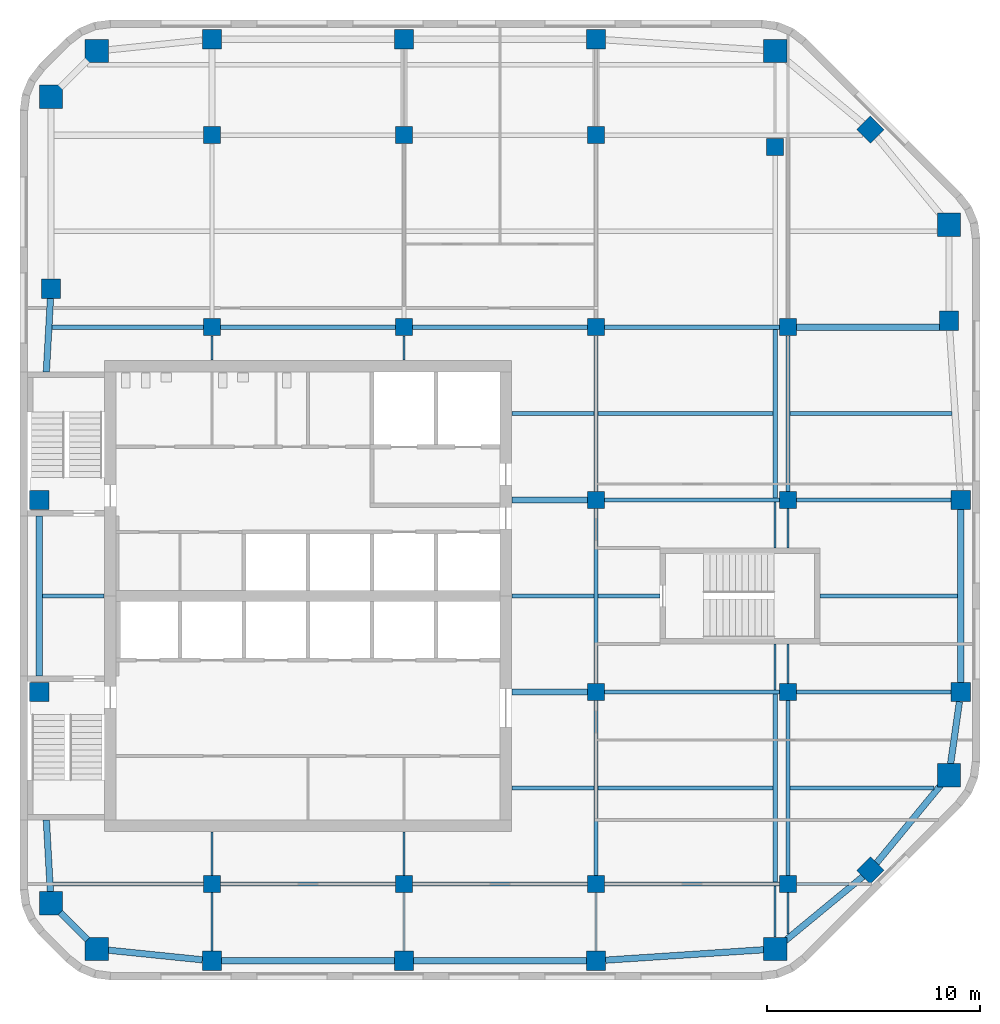
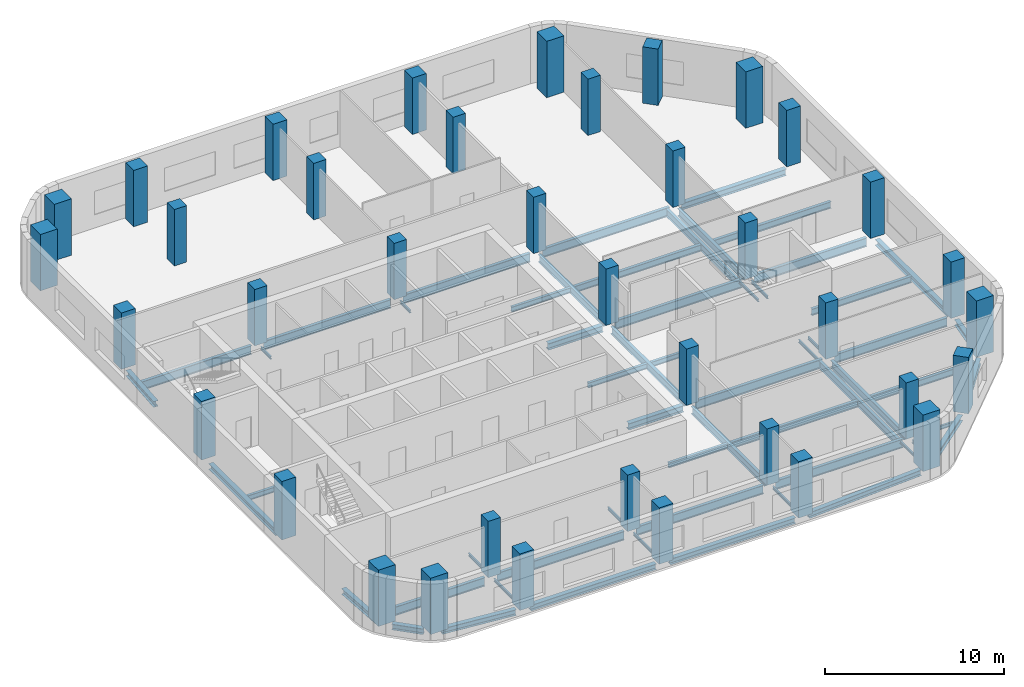
# One storey, part 1 of 8: 58 beams, 38 columns.
"""IFC4 building model written with IfcOpenShell, lengths in metres."""

import ifcopenshell
import ifcopenshell.guid

model = None  # the IFC model being written
_history = None  # IfcOwnerHistory: only IFC2X3 demands one
_inside = {}  # id of a spatial element -> (the spatial element, [elements in it])
_under = {}  # id of a project, library or spatial element -> (it, [spatial elements below it])
_declared = {}  # id of a project -> (the project, [libraries it declares])
_typed = {}  # id of a type object -> (the type object, [elements of that type])
_made_of = {}  # id of a material, layer set ... -> (it, [elements and type objects made of it])


def new_model(schema):
    """Start an empty IFC model of exactly this schema.

    Asked for "IFC4X3", IfcOpenShell would pick the latest addendum, in which some entities
    have other attributes; the version numbers below select the first issue.
    IFC2X3 requires an IfcOwnerHistory on every rooted entity: one is made here for all.
    """
    global model, _history
    if schema == "IFC4X3":
        model = ifcopenshell.file(schema_version=(4, 3, 0, 0))
    else:
        model = ifcopenshell.file(schema=schema)
    _inside.clear()
    _under.clear()
    _declared.clear()
    _typed.clear()
    _made_of.clear()
    _history = None
    if model.schema == "IFC2X3":
        org = make("IfcOrganization", Name="unknown")
        user = make(
            "IfcPersonAndOrganization",
            ThePerson=make("IfcPerson", FamilyName="unknown"),
            TheOrganization=org,
        )
        app = make(
            "IfcApplication",
            ApplicationDeveloper=org,
            Version="unknown",
            ApplicationFullName="unknown",
            ApplicationIdentifier="unknown",
        )
        _history = make(
            "IfcOwnerHistory",
            OwningUser=user,
            OwningApplication=app,
            ChangeAction="ADDED",
            CreationDate=0,
        )
    return model


def make(cls, **values):
    """One entity of the class cls with the attributes given. An attribute that is None is left unset."""
    return model.create_entity(
        cls, **{name: value for name, value in values.items() if value is not None}
    )


def rooted(cls, **values):
    """An entity with a GlobalId (a new one), such as an element, a storey or a relation."""
    return make(cls, GlobalId=ifcopenshell.guid.new(), OwnerHistory=_history, **values)


def si_unit(unit_type, name, prefix=None):
    """IfcSIUnit, for example si_unit("LENGTHUNIT", "METRE", prefix="MILLI")."""
    return make("IfcSIUnit", UnitType=unit_type, Prefix=prefix, Name=name)


def assignment(units):
    """IfcUnitAssignment: the units of a project."""
    return None if units is None else make("IfcUnitAssignment", Units=units)


def point(xyz):
    """IfcCartesianPoint."""
    return None if xyz is None else make("IfcCartesianPoint", Coordinates=xyz)


def direction(xyz):
    """IfcDirection."""
    return None if xyz is None else make("IfcDirection", DirectionRatios=xyz)


def frame(location, z_axis=None, x_axis=None):
    """IfcAxis2Placement3D, a coordinate frame: its origin and axes. An axis left out is left unset."""
    return make(
        "IfcAxis2Placement3D",
        Location=point(location),
        Axis=direction(z_axis),
        RefDirection=direction(x_axis),
    )


def frame_2d(location, x_axis=None):
    """IfcAxis2Placement2D, a coordinate frame in the plane: its origin and x axis."""
    return make(
        "IfcAxis2Placement2D", Location=point(location), RefDirection=direction(x_axis)
    )


def origin():
    """The frame at (0, 0, 0) with its axes left unset."""
    return frame((0.0, 0.0, 0.0))


def origin_2d():
    """The frame at (0, 0) in the plane with its x axis left unset."""
    return frame_2d((0.0, 0.0))


def place(relative_to, where):
    """IfcLocalPlacement: puts the frame where relative to a parent placement (None: the world)."""
    return make(
        "IfcLocalPlacement", PlacementRelTo=relative_to, RelativePlacement=where
    )


def context(
    kind, dimensions, precision=None, world=None, true_north=None, identifier=None
):
    """IfcGeometricRepresentationContext, for example the 3D "Model" context."""
    return make(
        "IfcGeometricRepresentationContext",
        ContextIdentifier=identifier,
        ContextType=kind,
        CoordinateSpaceDimension=dimensions,
        Precision=precision,
        WorldCoordinateSystem=world,
        TrueNorth=true_north,
    )


def subcontext(parent, identifier, kind, view, scale=None):
    """IfcGeometricRepresentationSubContext, for example "Body" below "Model"."""
    return make(
        "IfcGeometricRepresentationSubContext",
        ContextIdentifier=identifier,
        ContextType=kind,
        ParentContext=parent,
        TargetScale=scale,
        TargetView=view,
    )


def project(units=None, contexts=None):
    """IfcProject with its units and contexts."""
    return rooted(
        "IfcProject",
        Name="project",
        RepresentationContexts=contexts,
        UnitsInContext=assignment(units),
    )


def spatial(cls, under=None, at=None, **own):
    """A site, building, storey or space (cls), placed at a placement, below another one or the project."""
    s = rooted(cls, ObjectPlacement=at, **own)
    if under is not None:
        _under.setdefault(under.id(), (under, []))[1].append(s)
    return s


def profile(cls, at=None, kind="AREA", **sizes):
    """A parametric profile (cls). Its sizes go by their IFC names, for example OverallWidth=200.0."""
    return make(cls, ProfileType=kind, Position=at, **sizes)


def rectangle(**sizes):
    """IfcRectangleProfileDef."""
    return profile("IfcRectangleProfileDef", **sizes)


def i_section(**sizes):
    """IfcIShapeProfileDef."""
    return profile("IfcIShapeProfileDef", **sizes)


def extrude(swept, where, along, depth):
    """IfcExtrudedAreaSolid: the profile swept, set in the frame where, extruded along a direction by depth."""
    return make(
        "IfcExtrudedAreaSolid",
        SweptArea=swept,
        Position=where,
        ExtrudedDirection=direction(along),
        Depth=depth,
    )


def shape(context_of_items, identifier, shape_type, items):
    """IfcShapeRepresentation: the items that make up one representation, for example the "Body"."""
    return make(
        "IfcShapeRepresentation",
        ContextOfItems=context_of_items,
        RepresentationIdentifier=identifier,
        RepresentationType=shape_type,
        Items=items,
    )


def material(Name=None, Category=None):
    """IfcMaterial."""
    return make("IfcMaterial", Name=Name, Category=Category)


def material_profile(
    of_material, cross_section, Name=None, Category=None, Priority=None
):
    """IfcMaterialProfile: a cross section and its material."""
    return make(
        "IfcMaterialProfile",
        Name=Name,
        Material=of_material,
        Profile=cross_section,
        Priority=Priority,
        Category=Category,
    )


def profile_set(profiles, Name=None, composite=None):
    """IfcMaterialProfileSet."""
    return make(
        "IfcMaterialProfileSet",
        Name=Name,
        MaterialProfiles=profiles,
        CompositeProfile=composite,
    )


def made_of(thing, what):
    """Note that an element or type object is made of a material, layer set ...; save() writes the relation."""
    if what is not None:
        _made_of.setdefault(what.id(), (what, []))[1].append(thing)
    return thing


def type_object(cls, material=None, **own):
    """A type object (cls), such as IfcWallType, which elements share."""
    return made_of(rooted(cls, **own), material)


def element(
    cls,
    number,
    at=None,
    inside=None,
    cuts=None,
    type_object=None,
    material=None,
    context=None,
    identifier="Body",
    shape_type=None,
    held_by="IfcProductDefinitionShape",
    body=None,
    shapes=None,
    **own,
):
    """One element of the class cls, such as IfcWall. Its Tag is "e" and its number.

    at: its placement. inside: the storey or other place that contains it. cuts: it is an
    opening in that element (IfcRelVoidsElement). A single representation is given by context,
    identifier, shape_type and body (its items); several are given by shapes. held_by: the class
    of the entity that holds the representations. save() writes the other relations.
    """
    e = rooted(cls, Tag="e%d" % number, ObjectPlacement=at, **own)
    if body is not None:
        shapes = [shape(context, identifier, shape_type, body)]
    if shapes is not None:
        e.Representation = make(held_by, Representations=shapes)
    if inside is not None:
        _inside.setdefault(inside.id(), (inside, []))[1].append(e)
    if cuts is not None:
        rooted(
            "IfcRelVoidsElement", RelatingBuildingElement=cuts, RelatedOpeningElement=e
        )
    if type_object is not None:
        _typed.setdefault(type_object.id(), (type_object, []))[1].append(e)
    return made_of(e, material)


def aggregate(whole, parts):
    """IfcRelAggregates: a whole, such as a stair, and the parts it consists of."""
    return rooted("IfcRelAggregates", RelatingObject=whole, RelatedObjects=parts)


def save(model, path):
    """Write the relations noted so far, then the file.

    IfcRelAggregates (storeys below a building ...), IfcRelContainedInSpatialStructure (elements
    in a storey), IfcRelDefinesByType, IfcRelAssociatesMaterial and IfcRelDeclares: one each for
    every whole, place, type object, material and project.
    """
    for whole, parts in _under.values():
        aggregate(whole, parts)
    for where, things in _inside.values():
        rooted(
            "IfcRelContainedInSpatialStructure",
            RelatedElements=things,
            RelatingStructure=where,
        )
    for kind, things in _typed.values():
        rooted("IfcRelDefinesByType", RelatedObjects=things, RelatingType=kind)
    for what, things in _made_of.values():
        rooted("IfcRelAssociatesMaterial", RelatedObjects=things, RelatingMaterial=what)
    for by, libraries in _declared.values():
        rooted("IfcRelDeclares", RelatingContext=by, RelatedDefinitions=libraries)
    model.write(path)


model = new_model("IFC4")

# Units and contexts
model_context = context("Model", 3, precision=1e-05, world=origin(), true_north=direction((0.0, 1.0)))
body_context = subcontext(model_context, "Body", "Model", "MODEL_VIEW")
ifc_project = project(units=[si_unit("LENGTHUNIT", "METRE"), si_unit("AREAUNIT", "SQUARE_METRE"), si_unit("VOLUMEUNIT", "CUBIC_METRE"), si_unit("PLANEANGLEUNIT", "RADIAN"), si_unit("MASSUNIT", "GRAM", prefix="KILO")], contexts=[model_context])

# Site, building, storey
site_placement = place(None, origin())
site = spatial("IfcSite", under=ifc_project, at=site_placement, CompositionType="ELEMENT")
building_placement = place(site_placement, origin())
building = spatial("IfcBuilding", under=site, at=building_placement, Name="Cinnabar Reach Civic Tower", CompositionType="ELEMENT")
storey_placement = place(building_placement, frame((0.0, 0.0, 206.0)))
storey = spatial("IfcBuildingStorey", under=building, at=storey_placement, Name="L49", CompositionType="ELEMENT", Elevation=206.0)

# Columns
ifc_material_1 = material(Name="Concrete C80", Category="concrete")
ifc_material_profile_1 = material_profile(ifc_material_1, rectangle(XDim=1.1, YDim=1.1, at=origin_2d()), Name="RC1100")
ifc_profile_set_1 = profile_set([ifc_material_profile_1], Name="Concrete C80")
column_type_1 = type_object("IfcColumnType", Name="RC1100 column R 240", PredefinedType="COLUMN", material=ifc_profile_set_1)
for number, where, z_axis, x_axis, name in (
    (1, (3.6019, 14.9531, 0.0), (0.0, 0.0, 1.0), (1.0, 0.0, 0.0), "Column T1-Z4-CC0"),
    (2, (35.3981, 14.9531, 0.0), (0.0, 0.0, 1.0), (1.0, 0.0, 0.0), "Column T1-Z4-CC1"),
    (3, (43.5469, 23.1019, 0.0), (0.0, 0.0, 1.0), (1.0, 0.0, 0.0), "Column T1-Z4-CC2"),
    (4, (43.5469, 48.8981, 0.0), (0.0, 0.0, 1.0), (1.0, 0.0, 0.0), "Column T1-Z4-CC3"),
    (5, (35.3981, 57.0469, 0.0), (0.0, 0.0, 1.0), (1.0, 0.0, 0.0), "Column T1-Z4-CC4"),
    (6, (3.6019, 57.0469, 0.0), (0.0, 0.0, 1.0), (1.0, 0.0, 0.0), "Column T1-Z4-CC5"),
    (7, (1.4531, 54.8981, 0.0), (0.0, 0.0, 1.0), (1.0, 0.0, 0.0), "Column T1-Z4-CC6"),
    (8, (1.4531, 17.1019, 0.0), (0.0, 0.0, 1.0), (1.0, 0.0, 0.0), "Column T1-Z4-CC7"),
):
    element("IfcColumn", number, at=place(storey_placement, frame(where, z_axis=z_axis, x_axis=x_axis)), inside=storey, type_object=column_type_1, Name=name, PredefinedType="COLUMN", context=body_context, shape_type="SweptSolid", body=[
        extrude(rectangle(XDim=1.1, YDim=1.1, at=origin_2d()), origin(), (0.0, 0.0, 1.0), 3.85),
    ])
ifc_material_2 = material(Name="Concrete C60", Category="concrete")
ifc_material_profile_2 = material_profile(ifc_material_2, rectangle(XDim=0.8, YDim=0.8, at=origin_2d()), Name="RC800")
ifc_profile_set_2 = profile_set([ifc_material_profile_2], Name="Concrete C60")
column_type_2 = type_object("IfcColumnType", Name="RC800 column R 240", PredefinedType="COLUMN", material=ifc_profile_set_2)
for number, where, z_axis, x_axis, name in (
    (9, (9.0, 18.0, 0.0), (0.0, 0.0, 1.0), (1.0, 0.0, 0.0), "Column T1-Z4-I9_18"),
    (10, (9.0, 44.1, 0.0), (0.0, 0.0, 1.0), (1.0, 0.0, 0.0), "Column T1-Z4-I9_45"),
    (11, (9.0, 53.1, 0.0), (0.0, 0.0, 1.0), (1.0, 0.0, 0.0), "Column T1-Z4-I9_54"),
    (12, (18.0, 18.0, 0.0), (0.0, 0.0, 1.0), (1.0, 0.0, 0.0), "Column T1-Z4-I18_18"),
    (13, (18.0, 44.1, 0.0), (0.0, 0.0, 1.0), (1.0, 0.0, 0.0), "Column T1-Z4-I18_45"),
    (14, (18.0, 53.1, 0.0), (0.0, 0.0, 1.0), (1.0, 0.0, 0.0), "Column T1-Z4-I18_54"),
    (15, (27.0, 18.0, 0.0), (0.0, 0.0, 1.0), (1.0, 0.0, 0.0), "Column T1-Z4-I27_18"),
    (16, (27.0, 27.0, 0.0), (0.0, 0.0, 1.0), (1.0, 0.0, 0.0), "Column T1-Z4-I27_27"),
    (17, (27.0, 36.0, 0.0), (0.0, 0.0, 1.0), (1.0, 0.0, 0.0), "Column T1-Z4-I27_36"),
    (18, (27.0, 44.1, 0.0), (0.0, 0.0, 1.0), (1.0, 0.0, 0.0), "Column T1-Z4-I27_45"),
    (19, (27.0, 53.1, 0.0), (0.0, 0.0, 1.0), (1.0, 0.0, 0.0), "Column T1-Z4-I27_54"),
    (20, (36.0, 18.0, 0.0), (0.0, 0.0, 1.0), (1.0, 0.0, 0.0), "Column T1-Z4-I36_18"),
    (21, (36.0, 27.0, 0.0), (0.0, 0.0, 1.0), (1.0, 0.0, 0.0), "Column T1-Z4-I36_27"),
    (22, (36.0, 36.0, 0.0), (0.0, 0.0, 1.0), (1.0, 0.0, 0.0), "Column T1-Z4-I36_36"),
    (23, (36.0, 44.1, 0.0), (0.0, 0.0, 1.0), (1.0, 0.0, 0.0), "Column T1-Z4-I36_45"),
    (24, (35.3981, 52.5469, 0.0), (0.0, 0.0, 1.0), (1.0, 0.0, 0.0), "Column T1-Z4-I36_54"),
):
    element("IfcColumn", number, at=place(storey_placement, frame(where, z_axis=z_axis, x_axis=x_axis)), inside=storey, type_object=column_type_2, Name=name, PredefinedType="COLUMN", context=body_context, shape_type="SweptSolid", body=[
        extrude(rectangle(XDim=0.8, YDim=0.8, at=origin_2d()), origin(), (0.0, 0.0, 1.0), 3.85),
    ])
ifc_material_3 = material(Name="Concrete C70", Category="concrete")
ifc_material_profile_3 = material_profile(ifc_material_3, rectangle(XDim=0.9, YDim=0.9, at=origin_2d()), Name="RC900")
ifc_profile_set_3 = profile_set([ifc_material_profile_3], Name="Concrete C70")
column_type_3 = type_object("IfcColumnType", Name="RC900 column R 240", PredefinedType="COLUMN", material=ifc_profile_set_3)
for number, where, z_axis, x_axis, name in (
    (25, (9.0, 14.4, 0.0), (0.0, 0.0, 1.0), (1.0, 0.0, 0.0), "Column T1-Z4-F0-1"),
    (26, (18.0, 14.4, 0.0), (0.0, 0.0, 1.0), (1.0, 0.0, 0.0), "Column T1-Z4-F0-2"),
    (27, (27.0, 14.4, 0.0), (0.0, 0.0, 1.0), (1.0, 0.0, 0.0), "Column T1-Z4-F0-3"),
    (28, (39.8636, 18.6364, 0.0), (0.0, 0.0, 1.0), (0.707106781187, 0.707106781187, 0.0), "Column T1-Z4-F1-M"),
    (29, (44.1, 27.0, 0.0), (0.0, 0.0, 1.0), (1.0, 0.0, 0.0), "Column T1-Z4-F2-3"),
    (30, (44.1, 36.0, 0.0), (0.0, 0.0, 1.0), (1.0, 0.0, 0.0), "Column T1-Z4-F2-4"),
    (31, (43.5469, 44.3981, 0.0), (0.0, 0.0, 1.0), (1.0, 0.0, 0.0), "Column T1-Z4-F2-5"),
    (32, (39.8636, 53.3636, 0.0), (0.0, 0.0, 1.0), (0.707106781187, 0.707106781187, 0.0), "Column T1-Z4-F3-M"),
    (33, (9.0, 57.6, 0.0), (0.0, 0.0, 1.0), (1.0, 0.0, 0.0), "Column T1-Z4-F4-1"),
    (34, (18.0, 57.6, 0.0), (0.0, 0.0, 1.0), (1.0, 0.0, 0.0), "Column T1-Z4-F4-2"),
    (35, (27.0, 57.6, 0.0), (0.0, 0.0, 1.0), (1.0, 0.0, 0.0), "Column T1-Z4-F4-3"),
):
    element("IfcColumn", number, at=place(storey_placement, frame(where, z_axis=z_axis, x_axis=x_axis)), inside=storey, type_object=column_type_3, Name=name, PredefinedType="COLUMN", context=body_context, shape_type="SweptSolid", body=[
        extrude(rectangle(XDim=0.9, YDim=0.9, at=origin_2d()), origin(), (0.0, 0.0, 1.0), 3.85),
    ])
for number, where, z_axis, x_axis, name in (
    (36, (0.9, 27.0, 0.0), (0.0, 0.0, 1.0), (1.0, 0.0, 0.0), "Column T1-Z4-F6-3"),
    (37, (0.9, 36.0, 0.0), (0.0, 0.0, 1.0), (1.0, 0.0, 0.0), "Column T1-Z4-F6-4"),
):
    element("IfcColumn", number, at=place(storey_placement, frame(where, z_axis=z_axis, x_axis=x_axis)), inside=storey, type_object=column_type_3, Name=name, PredefinedType="COLUMN", context=body_context, shape_type="SweptSolid", body=[
        extrude(rectangle(XDim=0.9, YDim=0.9, at=origin_2d()), origin(), (0.0, 0.0, 1.0), 4.0),
    ])
column_placement = place(storey_placement, frame((1.4531, 45.8981, 0.0), z_axis=(0.0, 0.0, 1.0), x_axis=(1.0, 0.0, 0.0)))
element("IfcColumn", 38, at=column_placement, inside=storey, type_object=column_type_3, Name="Column T1-Z4-F6-5", PredefinedType="COLUMN", context=body_context, shape_type="SweptSolid", body=[
    extrude(rectangle(XDim=0.9, YDim=0.9, at=origin_2d()), origin(), (0.0, 0.0, 1.0), 3.85),
])

# Beams
ifc_material_4 = material(Name="Steel Q355B", Category="steel")
ifc_material_profile_4 = material_profile(ifc_material_4, i_section(OverallWidth=0.3, OverallDepth=0.39, WebThickness=0.01, FlangeThickness=0.016, FilletRadius=0.013, at=origin_2d()), Name="HM390x300x10x16")
ifc_profile_set_4 = profile_set([ifc_material_profile_4], Name="Steel Q355B")
beam_type_1 = type_object("IfcBeamType", Name="HM390x300x10x16 beam R 180", PredefinedType="BEAM", material=ifc_profile_set_4)
beam_1_placement = place(storey_placement, frame((4.0339, 14.9088, -0.345), z_axis=(0.994792272495, -0.101923179821, 0.0), x_axis=(0.101923179821, 0.994792272495, 0.0)))
element("IfcBeam", 39, at=beam_1_placement, inside=storey, type_object=beam_type_1, Name="Edge beam T1 L49 1", PredefinedType="BEAM", context=body_context, shape_type="SweptSolid", body=[
    extrude(i_section(OverallWidth=0.3, OverallDepth=0.39, WebThickness=0.01, FlangeThickness=0.016, FilletRadius=0.013, at=origin_2d()), origin(), (0.0, 0.0, 1.0), 4.5377),
])
for number, where, z_axis, x_axis, name in (
    (40, (9.452, 14.4, -0.345), (1.0, 0.0, 0.0), (0.0, 1.0, 0.0), "Edge beam T1 L49 2"),
    (41, (18.452, 14.4, -0.345), (1.0, 0.0, 0.0), (0.0, 1.0, 0.0), "Edge beam T1 L49 3"),
):
    element("IfcBeam", number, at=place(storey_placement, frame(where, z_axis=z_axis, x_axis=x_axis)), inside=storey, type_object=beam_type_1, Name=name, PredefinedType="BEAM", context=body_context, shape_type="SweptSolid", body=[
        extrude(i_section(OverallWidth=0.3, OverallDepth=0.39, WebThickness=0.01, FlangeThickness=0.016, FilletRadius=0.013, at=origin_2d()), origin(), (0.0, 0.0, 1.0), 8.096),
    ])
beam_2_placement = place(storey_placement, frame((27.452, 14.4298, -0.345), z_axis=(0.99783894477, 0.065707231721, 0.0), x_axis=(-0.065707231721, 0.99783894477, 0.0)))
element("IfcBeam", 42, at=beam_2_placement, inside=storey, type_object=beam_type_1, Name="Edge beam T1 L49 4", PredefinedType="BEAM", context=body_context, shape_type="SweptSolid", body=[
    extrude(i_section(OverallWidth=0.3, OverallDepth=0.39, WebThickness=0.01, FlangeThickness=0.016, FilletRadius=0.013, at=origin_2d()), origin(), (0.0, 0.0, 1.0), 7.5304),
])
for number, where, z_axis, x_axis, name in (
    (43, (35.8301, 15.3094, -0.345), (0.771434448755, 0.63630880182, 0.0), (-0.63630880182, 0.771434448755, 0.0), "Edge beam T1 L49 5"),
    (44, (40.1142, 18.9402, -0.345), (0.63630880182, 0.771434448755, 0.0), (-0.771434448755, 0.63630880182, 0.0), "Edge beam T1 L49 6"),
):
    element("IfcBeam", number, at=place(storey_placement, frame(where, z_axis=z_axis, x_axis=x_axis)), inside=storey, type_object=beam_type_1, Name=name, PredefinedType="BEAM", context=body_context, shape_type="SweptSolid", body=[
        extrude(i_section(OverallWidth=0.3, OverallDepth=0.39, WebThickness=0.01, FlangeThickness=0.016, FilletRadius=0.013, at=origin_2d()), origin(), (0.0, 0.0, 1.0), 4.8348),
    ])
beam_3_placement = place(storey_placement, frame((43.6082, 23.5339, -0.345), z_axis=(0.140492342965, 0.990081765092, 0.0), x_axis=(-0.990081765092, 0.140492342965, 0.0)))
element("IfcBeam", 45, at=beam_3_placement, inside=storey, type_object=beam_type_1, Name="Edge beam T1 L49 7", PredefinedType="BEAM", context=body_context, shape_type="SweptSolid", body=[
    extrude(i_section(OverallWidth=0.3, OverallDepth=0.39, WebThickness=0.01, FlangeThickness=0.016, FilletRadius=0.013, at=origin_2d()), origin(), (0.0, 0.0, 1.0), 3.0443),
])
beam_4_placement = place(storey_placement, frame((44.1, 27.452, -0.345), z_axis=(0.0, 1.0, 0.0), x_axis=(-1.0, 0.0, 0.0)))
element("IfcBeam", 46, at=beam_4_placement, inside=storey, type_object=beam_type_1, Name="Edge beam T1 L49 8", PredefinedType="BEAM", context=body_context, shape_type="SweptSolid", body=[
    extrude(i_section(OverallWidth=0.3, OverallDepth=0.39, WebThickness=0.01, FlangeThickness=0.016, FilletRadius=0.013, at=origin_2d()), origin(), (0.0, 0.0, 1.0), 8.096),
])
beam_5_placement = place(storey_placement, frame((1.4278, 45.4461, -0.345), z_axis=(-0.0557766862, -0.998443268932, 0.0), x_axis=(0.998443268932, -0.0557766862, 0.0)))
element("IfcBeam", 47, at=beam_5_placement, inside=storey, type_object=beam_type_1, Name="Edge beam T1 L49 19", PredefinedType="BEAM", context=body_context, shape_type="SweptSolid", body=[
    extrude(i_section(OverallWidth=0.3, OverallDepth=0.39, WebThickness=0.01, FlangeThickness=0.016, FilletRadius=0.013, at=origin_2d()), origin(), (0.0, 0.0, 1.0), 3.4495),
])
beam_6_placement = place(storey_placement, frame((0.9, 35.248, -0.345), z_axis=(0.0, -1.0, 0.0), x_axis=(1.0, 0.0, 0.0)))
element("IfcBeam", 48, at=beam_6_placement, inside=storey, type_object=beam_type_1, Name="Edge beam T1 L49 20", PredefinedType="BEAM", context=body_context, shape_type="SweptSolid", body=[
    extrude(i_section(OverallWidth=0.3, OverallDepth=0.39, WebThickness=0.01, FlangeThickness=0.016, FilletRadius=0.013, at=origin_2d()), origin(), (0.0, 0.0, 1.0), 7.496),
])
beam_7_placement = place(storey_placement, frame((1.2354, 20.998, -0.345), z_axis=(0.05580045603, -0.998441940779, 0.0), x_axis=(0.998441940779, 0.05580045603, 0.0)))
element("IfcBeam", 49, at=beam_7_placement, inside=storey, type_object=beam_type_1, Name="Edge beam T1 L49 21", PredefinedType="BEAM", context=body_context, shape_type="SweptSolid", body=[
    extrude(i_section(OverallWidth=0.3, OverallDepth=0.39, WebThickness=0.01, FlangeThickness=0.016, FilletRadius=0.013, at=origin_2d()), origin(), (0.0, 0.0, 1.0), 3.4695),
])
beam_8_placement = place(storey_placement, frame((1.8851, 16.6699, -0.345), z_axis=(0.707106781187, -0.707106781187, 0.0), x_axis=(0.707106781187, 0.707106781187, 0.0)))
element("IfcBeam", 50, at=beam_8_placement, inside=storey, type_object=beam_type_1, Name="Edge beam T1 L49 22", PredefinedType="BEAM", context=body_context, shape_type="SweptSolid", body=[
    extrude(i_section(OverallWidth=0.3, OverallDepth=0.39, WebThickness=0.01, FlangeThickness=0.016, FilletRadius=0.013, at=origin_2d()), origin(), (0.0, 0.0, 1.0), 1.817),
])
ifc_material_profile_5 = material_profile(ifc_material_4, i_section(OverallWidth=0.3, OverallDepth=0.44, WebThickness=0.011, FlangeThickness=0.018, FilletRadius=0.016, at=origin_2d()), Name="HM440x300x11x18")
ifc_profile_set_5 = profile_set([ifc_material_profile_5], Name="Steel Q355B")
beam_type_2 = type_object("IfcBeamType", Name="HM440x300x11x18 beam R 180", PredefinedType="BEAM", material=ifc_profile_set_5)
for number, where, z_axis, x_axis, name in (
    (51, (23.052, 27.0, -0.37), (1.0, 0.0, 0.0), (0.0, 1.0, 0.0), "Girder T1 L49 6"),
    (52, (23.052, 36.0, -0.37), (1.0, 0.0, 0.0), (0.0, 1.0, 0.0), "Girder T1 L49 9"),
):
    element("IfcBeam", number, at=place(storey_placement, frame(where, z_axis=z_axis, x_axis=x_axis)), inside=storey, type_object=beam_type_2, Name=name, PredefinedType="BEAM", context=body_context, shape_type="SweptSolid", body=[
        extrude(i_section(OverallWidth=0.3, OverallDepth=0.44, WebThickness=0.011, FlangeThickness=0.018, FilletRadius=0.016, at=origin_2d()), origin(), (0.0, 0.0, 1.0), 3.546),
    ])
beam_9_placement = place(storey_placement, frame((36.402, 44.1, -0.37), z_axis=(1.0, 0.0, 0.0), x_axis=(0.0, 1.0, 0.0)))
element("IfcBeam", 53, at=beam_9_placement, inside=storey, type_object=beam_type_2, Name="Girder T1 L49 16", PredefinedType="BEAM", context=body_context, shape_type="SweptSolid", body=[
    extrude(i_section(OverallWidth=0.3, OverallDepth=0.44, WebThickness=0.011, FlangeThickness=0.018, FilletRadius=0.016, at=origin_2d()), origin(), (0.0, 0.0, 1.0), 6.6929),
])
ifc_material_profile_6 = material_profile(ifc_material_4, i_section(OverallWidth=0.099, OverallDepth=0.198, WebThickness=0.0045, FlangeThickness=0.007, FilletRadius=0.013, at=origin_2d()), Name="HN200x100x5.5x8")
ifc_profile_set_6 = profile_set([ifc_material_profile_6], Name="Steel Q355B")
beam_type_3 = type_object("IfcBeamType", Name="HN200x100x5.5x8 beam R 180", PredefinedType="BEAM", material=ifc_profile_set_6)
beam_10_placement = place(storey_placement, frame((9.0, 14.852, -0.249), z_axis=(0.0, 1.0, 0.0), x_axis=(-1.0, 0.0, 0.0)))
element("IfcBeam", 54, at=beam_10_placement, inside=storey, type_object=beam_type_3, Name="Girder T1 L49 1", PredefinedType="BEAM", context=body_context, shape_type="SweptSolid", body=[
    extrude(i_section(OverallWidth=0.099, OverallDepth=0.198, WebThickness=0.0045, FlangeThickness=0.007, FilletRadius=0.013, at=origin_2d()), origin(), (0.0, 0.0, 1.0), 2.746),
])
beam_11_placement = place(storey_placement, frame((9.0, 18.402, -0.249), z_axis=(0.0, 1.0, 0.0), x_axis=(-1.0, 0.0, 0.0)))
element("IfcBeam", 55, at=beam_11_placement, inside=storey, type_object=beam_type_3, Name="Girder T1 L49 2", PredefinedType="BEAM", context=body_context, shape_type="SweptSolid", body=[
    extrude(i_section(OverallWidth=0.099, OverallDepth=0.198, WebThickness=0.0045, FlangeThickness=0.007, FilletRadius=0.013, at=origin_2d()), origin(), (0.0, 0.0, 1.0), 2.046),
])
beam_12_placement = place(storey_placement, frame((9.0, 42.552, -0.249), z_axis=(0.0, 1.0, 0.0), x_axis=(-1.0, 0.0, 0.0)))
element("IfcBeam", 56, at=beam_12_placement, inside=storey, type_object=beam_type_3, Name="Girder T1 L49 3", PredefinedType="BEAM", context=body_context, shape_type="SweptSolid", body=[
    extrude(i_section(OverallWidth=0.099, OverallDepth=0.198, WebThickness=0.0045, FlangeThickness=0.007, FilletRadius=0.013, at=origin_2d()), origin(), (0.0, 0.0, 1.0), 1.146),
])
beam_13_placement = place(storey_placement, frame((18.0, 14.852, -0.249), z_axis=(0.0, 1.0, 0.0), x_axis=(-1.0, 0.0, 0.0)))
element("IfcBeam", 57, at=beam_13_placement, inside=storey, type_object=beam_type_3, Name="Girder T1 L49 6", PredefinedType="BEAM", context=body_context, shape_type="SweptSolid", body=[
    extrude(i_section(OverallWidth=0.099, OverallDepth=0.198, WebThickness=0.0045, FlangeThickness=0.007, FilletRadius=0.013, at=origin_2d()), origin(), (0.0, 0.0, 1.0), 2.746),
])
beam_14_placement = place(storey_placement, frame((18.0, 18.402, -0.249), z_axis=(0.0, 1.0, 0.0), x_axis=(-1.0, 0.0, 0.0)))
element("IfcBeam", 58, at=beam_14_placement, inside=storey, type_object=beam_type_3, Name="Girder T1 L49 7", PredefinedType="BEAM", context=body_context, shape_type="SweptSolid", body=[
    extrude(i_section(OverallWidth=0.099, OverallDepth=0.198, WebThickness=0.0045, FlangeThickness=0.007, FilletRadius=0.013, at=origin_2d()), origin(), (0.0, 0.0, 1.0), 2.046),
])
beam_15_placement = place(storey_placement, frame((18.0, 42.552, -0.249), z_axis=(0.0, 1.0, 0.0), x_axis=(-1.0, 0.0, 0.0)))
element("IfcBeam", 59, at=beam_15_placement, inside=storey, type_object=beam_type_3, Name="Girder T1 L49 8", PredefinedType="BEAM", context=body_context, shape_type="SweptSolid", body=[
    extrude(i_section(OverallWidth=0.099, OverallDepth=0.198, WebThickness=0.0045, FlangeThickness=0.007, FilletRadius=0.013, at=origin_2d()), origin(), (0.0, 0.0, 1.0), 1.146),
])
beam_16_placement = place(storey_placement, frame((27.0, 14.852, -0.249), z_axis=(0.0, 1.0, 0.0), x_axis=(-1.0, 0.0, 0.0)))
element("IfcBeam", 60, at=beam_16_placement, inside=storey, type_object=beam_type_3, Name="Girder T1 L49 11", PredefinedType="BEAM", context=body_context, shape_type="SweptSolid", body=[
    extrude(i_section(OverallWidth=0.099, OverallDepth=0.198, WebThickness=0.0045, FlangeThickness=0.007, FilletRadius=0.013, at=origin_2d()), origin(), (0.0, 0.0, 1.0), 2.746),
])
beam_17_placement = place(storey_placement, frame((35.3981, 15.5051, -0.249), z_axis=(0.0, 1.0, 0.0), x_axis=(-1.0, 0.0, 0.0)))
element("IfcBeam", 61, at=beam_17_placement, inside=storey, type_object=beam_type_3, Name="Girder T1 L49 17", PredefinedType="BEAM", context=body_context, shape_type="SweptSolid", body=[
    extrude(i_section(OverallWidth=0.099, OverallDepth=0.198, WebThickness=0.0045, FlangeThickness=0.007, FilletRadius=0.013, at=origin_2d()), origin(), (0.0, 0.0, 1.0), 2.3934),
])
for number, where, z_axis, x_axis, name in (
    (62, (35.3981, 27.1015, -0.249), (0.0, 1.0, 0.0), (-1.0, 0.0, 0.0), "Girder T1 L49 19"),
    (63, (35.3981, 33.752, -0.249), (0.0, 1.0, 0.0), (-1.0, 0.0, 0.0), "Girder T1 L49 20"),
):
    element("IfcBeam", number, at=place(storey_placement, frame(where, z_axis=z_axis, x_axis=x_axis)), inside=storey, type_object=beam_type_3, Name=name, PredefinedType="BEAM", context=body_context, shape_type="SweptSolid", body=[
        extrude(i_section(OverallWidth=0.099, OverallDepth=0.198, WebThickness=0.0045, FlangeThickness=0.007, FilletRadius=0.013, at=origin_2d()), origin(), (0.0, 0.0, 1.0), 2.1465),
    ])
beam_18_placement = place(storey_placement, frame((36.0, 15.6466, -0.249), z_axis=(0.0, 1.0, 0.0), x_axis=(-1.0, 0.0, 0.0)))
element("IfcBeam", 64, at=beam_18_placement, inside=storey, type_object=beam_type_3, Name="Girder T1 L49 24", PredefinedType="BEAM", context=body_context, shape_type="SweptSolid", body=[
    extrude(i_section(OverallWidth=0.099, OverallDepth=0.198, WebThickness=0.0045, FlangeThickness=0.007, FilletRadius=0.013, at=origin_2d()), origin(), (0.0, 0.0, 1.0), 1.9514),
])
for number, where, z_axis, x_axis, name in (
    (65, (36.0, 27.402, -0.249), (0.0, 1.0, 0.0), (-1.0, 0.0, 0.0), "Girder T1 L49 26"),
    (66, (36.0, 33.752, -0.249), (0.0, 1.0, 0.0), (-1.0, 0.0, 0.0), "Girder T1 L49 27"),
):
    element("IfcBeam", number, at=place(storey_placement, frame(where, z_axis=z_axis, x_axis=x_axis)), inside=storey, type_object=beam_type_3, Name=name, PredefinedType="BEAM", context=body_context, shape_type="SweptSolid", body=[
        extrude(i_section(OverallWidth=0.099, OverallDepth=0.198, WebThickness=0.0045, FlangeThickness=0.007, FilletRadius=0.013, at=origin_2d()), origin(), (0.0, 0.0, 1.0), 1.846),
    ])
ifc_material_profile_7 = material_profile(ifc_material_4, i_section(OverallWidth=0.124, OverallDepth=0.248, WebThickness=0.005, FlangeThickness=0.008, FilletRadius=0.013, at=origin_2d()), Name="HN250x125x6x9")
ifc_profile_set_7 = profile_set([ifc_material_profile_7], Name="Steel Q355B")
beam_type_4 = type_object("IfcBeamType", Name="HN250x125x6x9 beam R 180", PredefinedType="BEAM", material=ifc_profile_set_7)
beam_19_placement = place(storey_placement, frame((36.402, 18.0, -0.274), z_axis=(1.0, 0.0, 0.0), x_axis=(0.0, 1.0, 0.0)))
element("IfcBeam", 67, at=beam_19_placement, inside=storey, type_object=beam_type_4, Name="Girder T1 L49 5", PredefinedType="BEAM", context=body_context, shape_type="SweptSolid", body=[
    extrude(i_section(OverallWidth=0.124, OverallDepth=0.248, WebThickness=0.005, FlangeThickness=0.008, FilletRadius=0.013, at=origin_2d()), origin(), (0.0, 0.0, 1.0), 2.4512),
])
ifc_material_profile_8 = material_profile(ifc_material_4, i_section(OverallWidth=0.174, OverallDepth=0.346, WebThickness=0.006, FlangeThickness=0.009, FilletRadius=0.013, at=origin_2d()), Name="HN346x174x6x9")
ifc_profile_set_8 = profile_set([ifc_material_profile_8], Name="Steel Q355B")
beam_type_5 = type_object("IfcBeamType", Name="HN346x174x6x9 beam R 180", PredefinedType="BEAM", material=ifc_profile_set_8)
beam_20_placement = place(storey_placement, frame((23.052, 22.5, -0.323), z_axis=(1.0, 0.0, 0.0), x_axis=(0.0, 1.0, 0.0)))
element("IfcBeam", 68, at=beam_20_placement, inside=storey, type_object=beam_type_5, Name="Secondary beam T1 L49 1", PredefinedType="BEAM", context=body_context, shape_type="SweptSolid", body=[
    extrude(i_section(OverallWidth=0.174, OverallDepth=0.346, WebThickness=0.006, FlangeThickness=0.009, FilletRadius=0.013, at=origin_2d()), origin(), (0.0, 0.0, 1.0), 3.846),
])
beam_21_placement = place(storey_placement, frame((1.052, 31.5, -0.323), z_axis=(1.0, 0.0, 0.0), x_axis=(0.0, 1.0, 0.0)))
element("IfcBeam", 69, at=beam_21_placement, inside=storey, type_object=beam_type_5, Name="Secondary beam T1 L49 4", PredefinedType="BEAM", context=body_context, shape_type="SweptSolid", body=[
    extrude(i_section(OverallWidth=0.174, OverallDepth=0.346, WebThickness=0.006, FlangeThickness=0.009, FilletRadius=0.013, at=origin_2d()), origin(), (0.0, 0.0, 1.0), 2.896),
])
beam_22_placement = place(storey_placement, frame((23.052, 31.5, -0.323), z_axis=(1.0, 0.0, 0.0), x_axis=(0.0, 1.0, 0.0)))
element("IfcBeam", 70, at=beam_22_placement, inside=storey, type_object=beam_type_5, Name="Secondary beam T1 L49 5", PredefinedType="BEAM", context=body_context, shape_type="SweptSolid", body=[
    extrude(i_section(OverallWidth=0.174, OverallDepth=0.346, WebThickness=0.006, FlangeThickness=0.009, FilletRadius=0.013, at=origin_2d()), origin(), (0.0, 0.0, 1.0), 3.846),
])
beam_23_placement = place(storey_placement, frame((27.102, 31.5, -0.323), z_axis=(1.0, 0.0, 0.0), x_axis=(0.0, 1.0, 0.0)))
element("IfcBeam", 71, at=beam_23_placement, inside=storey, type_object=beam_type_5, Name="Secondary beam T1 L49 6", PredefinedType="BEAM", context=body_context, shape_type="SweptSolid", body=[
    extrude(i_section(OverallWidth=0.174, OverallDepth=0.346, WebThickness=0.006, FlangeThickness=0.009, FilletRadius=0.013, at=origin_2d()), origin(), (0.0, 0.0, 1.0), 2.896),
])
beam_24_placement = place(storey_placement, frame((23.052, 40.05, -0.323), z_axis=(1.0, 0.0, 0.0), x_axis=(0.0, 1.0, 0.0)))
element("IfcBeam", 72, at=beam_24_placement, inside=storey, type_object=beam_type_5, Name="Secondary beam T1 L49 8", PredefinedType="BEAM", context=body_context, shape_type="SweptSolid", body=[
    extrude(i_section(OverallWidth=0.174, OverallDepth=0.346, WebThickness=0.006, FlangeThickness=0.009, FilletRadius=0.013, at=origin_2d()), origin(), (0.0, 0.0, 1.0), 3.846),
])
ifc_material_profile_9 = material_profile(ifc_material_4, i_section(OverallWidth=0.199, OverallDepth=0.446, WebThickness=0.008, FlangeThickness=0.012, FilletRadius=0.016, at=origin_2d()), Name="HN446x199x8x12")
ifc_profile_set_9 = profile_set([ifc_material_profile_9], Name="Steel Q355B")
beam_type_6 = type_object("IfcBeamType", Name="HN446x199x8x12 beam R 180", PredefinedType="BEAM", material=ifc_profile_set_9)
beam_25_placement = place(storey_placement, frame((27.102, 22.5, -0.373), z_axis=(1.0, 0.0, 0.0), x_axis=(0.0, 1.0, 0.0)))
element("IfcBeam", 73, at=beam_25_placement, inside=storey, type_object=beam_type_6, Name="Secondary beam T1 L49 2", PredefinedType="BEAM", context=body_context, shape_type="SweptSolid", body=[
    extrude(i_section(OverallWidth=0.199, OverallDepth=0.446, WebThickness=0.008, FlangeThickness=0.012, FilletRadius=0.016, at=origin_2d()), origin(), (0.0, 0.0, 1.0), 8.1941),
])
beam_26_placement = place(storey_placement, frame((36.102, 22.5, -0.373), z_axis=(1.0, 0.0, 0.0), x_axis=(0.0, 1.0, 0.0)))
element("IfcBeam", 74, at=beam_26_placement, inside=storey, type_object=beam_type_6, Name="Secondary beam T1 L49 3", PredefinedType="BEAM", context=body_context, shape_type="SweptSolid", body=[
    extrude(i_section(OverallWidth=0.199, OverallDepth=0.446, WebThickness=0.008, FlangeThickness=0.012, FilletRadius=0.016, at=origin_2d()), origin(), (0.0, 0.0, 1.0), 6.7514),
])
beam_27_placement = place(storey_placement, frame((37.502, 31.5, -0.373), z_axis=(1.0, 0.0, 0.0), x_axis=(0.0, 1.0, 0.0)))
element("IfcBeam", 75, at=beam_27_placement, inside=storey, type_object=beam_type_6, Name="Secondary beam T1 L49 7", PredefinedType="BEAM", context=body_context, shape_type="SweptSolid", body=[
    extrude(i_section(OverallWidth=0.199, OverallDepth=0.446, WebThickness=0.008, FlangeThickness=0.012, FilletRadius=0.016, at=origin_2d()), origin(), (0.0, 0.0, 1.0), 6.446),
])
beam_28_placement = place(storey_placement, frame((27.102, 40.05, -0.373), z_axis=(1.0, 0.0, 0.0), x_axis=(0.0, 1.0, 0.0)))
element("IfcBeam", 76, at=beam_28_placement, inside=storey, type_object=beam_type_6, Name="Secondary beam T1 L49 9", PredefinedType="BEAM", context=body_context, shape_type="SweptSolid", body=[
    extrude(i_section(OverallWidth=0.199, OverallDepth=0.446, WebThickness=0.008, FlangeThickness=0.012, FilletRadius=0.016, at=origin_2d()), origin(), (0.0, 0.0, 1.0), 8.1941),
])
beam_29_placement = place(storey_placement, frame((36.102, 40.05, -0.373), z_axis=(1.0, 0.0, 0.0), x_axis=(0.0, 1.0, 0.0)))
element("IfcBeam", 77, at=beam_29_placement, inside=storey, type_object=beam_type_6, Name="Secondary beam T1 L49 10", PredefinedType="BEAM", context=body_context, shape_type="SweptSolid", body=[
    extrude(i_section(OverallWidth=0.199, OverallDepth=0.446, WebThickness=0.008, FlangeThickness=0.012, FilletRadius=0.016, at=origin_2d()), origin(), (0.0, 0.0, 1.0), 7.5789),
])
ifc_material_profile_10 = material_profile(ifc_material_4, i_section(OverallWidth=0.2, OverallDepth=0.5, WebThickness=0.01, FlangeThickness=0.016, FilletRadius=0.016, at=origin_2d()), Name="HN500x200x10x16")
ifc_profile_set_10 = profile_set([ifc_material_profile_10], Name="Steel Q355B")
beam_type_7 = type_object("IfcBeamType", Name="HN500x200x10x16 beam R 180", PredefinedType="BEAM", material=ifc_profile_set_10)
for number, where, z_axis, x_axis, name in (
    (78, (27.0, 18.402, -0.4), (0.0, 1.0, 0.0), (-1.0, 0.0, 0.0), "Girder T1 L49 12"),
    (79, (27.0, 27.402, -0.4), (0.0, 1.0, 0.0), (-1.0, 0.0, 0.0), "Girder T1 L49 13"),
):
    element("IfcBeam", number, at=place(storey_placement, frame(where, z_axis=z_axis, x_axis=x_axis)), inside=storey, type_object=beam_type_7, Name=name, PredefinedType="BEAM", context=body_context, shape_type="SweptSolid", body=[
        extrude(i_section(OverallWidth=0.2, OverallDepth=0.5, WebThickness=0.01, FlangeThickness=0.016, FilletRadius=0.016, at=origin_2d()), origin(), (0.0, 0.0, 1.0), 8.196),
    ])
beam_30_placement = place(storey_placement, frame((27.0, 36.402, -0.4), z_axis=(0.0, 1.0, 0.0), x_axis=(-1.0, 0.0, 0.0)))
element("IfcBeam", 80, at=beam_30_placement, inside=storey, type_object=beam_type_7, Name="Girder T1 L49 14", PredefinedType="BEAM", context=body_context, shape_type="SweptSolid", body=[
    extrude(i_section(OverallWidth=0.2, OverallDepth=0.5, WebThickness=0.01, FlangeThickness=0.016, FilletRadius=0.016, at=origin_2d()), origin(), (0.0, 0.0, 1.0), 7.296),
])
beam_31_placement = place(storey_placement, frame((35.3981, 18.1015, -0.4), z_axis=(0.0, 1.0, 0.0), x_axis=(-1.0, 0.0, 0.0)))
element("IfcBeam", 81, at=beam_31_placement, inside=storey, type_object=beam_type_7, Name="Girder T1 L49 18", PredefinedType="BEAM", context=body_context, shape_type="SweptSolid", body=[
    extrude(i_section(OverallWidth=0.2, OverallDepth=0.5, WebThickness=0.01, FlangeThickness=0.016, FilletRadius=0.016, at=origin_2d()), origin(), (0.0, 0.0, 1.0), 8.797),
])
beam_32_placement = place(storey_placement, frame((35.3981, 36.1015, -0.4), z_axis=(0.0, 1.0, 0.0), x_axis=(-1.0, 0.0, 0.0)))
element("IfcBeam", 82, at=beam_32_placement, inside=storey, type_object=beam_type_7, Name="Girder T1 L49 21", PredefinedType="BEAM", context=body_context, shape_type="SweptSolid", body=[
    extrude(i_section(OverallWidth=0.2, OverallDepth=0.5, WebThickness=0.01, FlangeThickness=0.016, FilletRadius=0.016, at=origin_2d()), origin(), (0.0, 0.0, 1.0), 7.897),
])
beam_33_placement = place(storey_placement, frame((36.0, 18.402, -0.4), z_axis=(0.0, 1.0, 0.0), x_axis=(-1.0, 0.0, 0.0)))
element("IfcBeam", 83, at=beam_33_placement, inside=storey, type_object=beam_type_7, Name="Girder T1 L49 25", PredefinedType="BEAM", context=body_context, shape_type="SweptSolid", body=[
    extrude(i_section(OverallWidth=0.2, OverallDepth=0.5, WebThickness=0.01, FlangeThickness=0.016, FilletRadius=0.016, at=origin_2d()), origin(), (0.0, 0.0, 1.0), 8.196),
])
beam_34_placement = place(storey_placement, frame((36.0, 36.402, -0.4), z_axis=(0.0, 1.0, 0.0), x_axis=(-1.0, 0.0, 0.0)))
element("IfcBeam", 84, at=beam_34_placement, inside=storey, type_object=beam_type_7, Name="Girder T1 L49 28", PredefinedType="BEAM", context=body_context, shape_type="SweptSolid", body=[
    extrude(i_section(OverallWidth=0.2, OverallDepth=0.5, WebThickness=0.01, FlangeThickness=0.016, FilletRadius=0.016, at=origin_2d()), origin(), (0.0, 0.0, 1.0), 7.296),
])
ifc_material_profile_11 = material_profile(ifc_material_4, i_section(OverallWidth=0.199, OverallDepth=0.596, WebThickness=0.01, FlangeThickness=0.015, FilletRadius=0.016, at=origin_2d()), Name="HN596x199x10x15")
ifc_profile_set_11 = profile_set([ifc_material_profile_11], Name="Steel Q355B")
beam_type_8 = type_object("IfcBeamType", Name="HN596x199x10x15 beam R 180", PredefinedType="BEAM", material=ifc_profile_set_11)
beam_35_placement = place(storey_placement, frame((1.5552, 18.0, -0.448), z_axis=(1.0, 0.0, 0.0), x_axis=(0.0, 1.0, 0.0)))
element("IfcBeam", 85, at=beam_35_placement, inside=storey, type_object=beam_type_8, Name="Girder T1 L49 1", PredefinedType="BEAM", context=body_context, shape_type="SweptSolid", body=[
    extrude(i_section(OverallWidth=0.199, OverallDepth=0.596, WebThickness=0.01, FlangeThickness=0.015, FilletRadius=0.016, at=origin_2d()), origin(), (0.0, 0.0, 1.0), 7.0428),
])
for number, where, z_axis, x_axis, name in (
    (86, (9.402, 18.0, -0.448), (1.0, 0.0, 0.0), (0.0, 1.0, 0.0), "Girder T1 L49 2"),
    (87, (18.402, 18.0, -0.448), (1.0, 0.0, 0.0), (0.0, 1.0, 0.0), "Girder T1 L49 3"),
    (88, (27.402, 18.0, -0.448), (1.0, 0.0, 0.0), (0.0, 1.0, 0.0), "Girder T1 L49 4"),
    (89, (27.402, 27.0, -0.448), (1.0, 0.0, 0.0), (0.0, 1.0, 0.0), "Girder T1 L49 7"),
):
    element("IfcBeam", number, at=place(storey_placement, frame(where, z_axis=z_axis, x_axis=x_axis)), inside=storey, type_object=beam_type_8, Name=name, PredefinedType="BEAM", context=body_context, shape_type="SweptSolid", body=[
        extrude(i_section(OverallWidth=0.199, OverallDepth=0.596, WebThickness=0.01, FlangeThickness=0.015, FilletRadius=0.016, at=origin_2d()), origin(), (0.0, 0.0, 1.0), 8.196),
    ])
beam_36_placement = place(storey_placement, frame((36.402, 27.0, -0.448), z_axis=(1.0, 0.0, 0.0), x_axis=(0.0, 1.0, 0.0)))
element("IfcBeam", 90, at=beam_36_placement, inside=storey, type_object=beam_type_8, Name="Girder T1 L49 8", PredefinedType="BEAM", context=body_context, shape_type="SweptSolid", body=[
    extrude(i_section(OverallWidth=0.199, OverallDepth=0.596, WebThickness=0.01, FlangeThickness=0.015, FilletRadius=0.016, at=origin_2d()), origin(), (0.0, 0.0, 1.0), 7.246),
])
beam_37_placement = place(storey_placement, frame((27.402, 36.0, -0.448), z_axis=(1.0, 0.0, 0.0), x_axis=(0.0, 1.0, 0.0)))
element("IfcBeam", 91, at=beam_37_placement, inside=storey, type_object=beam_type_8, Name="Girder T1 L49 10", PredefinedType="BEAM", context=body_context, shape_type="SweptSolid", body=[
    extrude(i_section(OverallWidth=0.199, OverallDepth=0.596, WebThickness=0.01, FlangeThickness=0.015, FilletRadius=0.016, at=origin_2d()), origin(), (0.0, 0.0, 1.0), 8.196),
])
beam_38_placement = place(storey_placement, frame((36.402, 36.0, -0.448), z_axis=(1.0, 0.0, 0.0), x_axis=(0.0, 1.0, 0.0)))
element("IfcBeam", 92, at=beam_38_placement, inside=storey, type_object=beam_type_8, Name="Girder T1 L49 11", PredefinedType="BEAM", context=body_context, shape_type="SweptSolid", body=[
    extrude(i_section(OverallWidth=0.199, OverallDepth=0.596, WebThickness=0.01, FlangeThickness=0.015, FilletRadius=0.016, at=origin_2d()), origin(), (0.0, 0.0, 1.0), 7.246),
])
beam_39_placement = place(storey_placement, frame((1.5049, 44.1, -0.448), z_axis=(1.0, 0.0, 0.0), x_axis=(0.0, 1.0, 0.0)))
element("IfcBeam", 93, at=beam_39_placement, inside=storey, type_object=beam_type_8, Name="Girder T1 L49 12", PredefinedType="BEAM", context=body_context, shape_type="SweptSolid", body=[
    extrude(i_section(OverallWidth=0.199, OverallDepth=0.596, WebThickness=0.01, FlangeThickness=0.015, FilletRadius=0.016, at=origin_2d()), origin(), (0.0, 0.0, 1.0), 7.0931),
])
for number, where, z_axis, x_axis, name in (
    (94, (9.402, 44.1, -0.448), (1.0, 0.0, 0.0), (0.0, 1.0, 0.0), "Girder T1 L49 13"),
    (95, (18.402, 44.1, -0.448), (1.0, 0.0, 0.0), (0.0, 1.0, 0.0), "Girder T1 L49 14"),
    (96, (27.402, 44.1, -0.448), (1.0, 0.0, 0.0), (0.0, 1.0, 0.0), "Girder T1 L49 15"),
):
    element("IfcBeam", number, at=place(storey_placement, frame(where, z_axis=z_axis, x_axis=x_axis)), inside=storey, type_object=beam_type_8, Name=name, PredefinedType="BEAM", context=body_context, shape_type="SweptSolid", body=[
        extrude(i_section(OverallWidth=0.199, OverallDepth=0.596, WebThickness=0.01, FlangeThickness=0.015, FilletRadius=0.016, at=origin_2d()), origin(), (0.0, 0.0, 1.0), 8.196),
    ])

save(model, "model.ifc")
